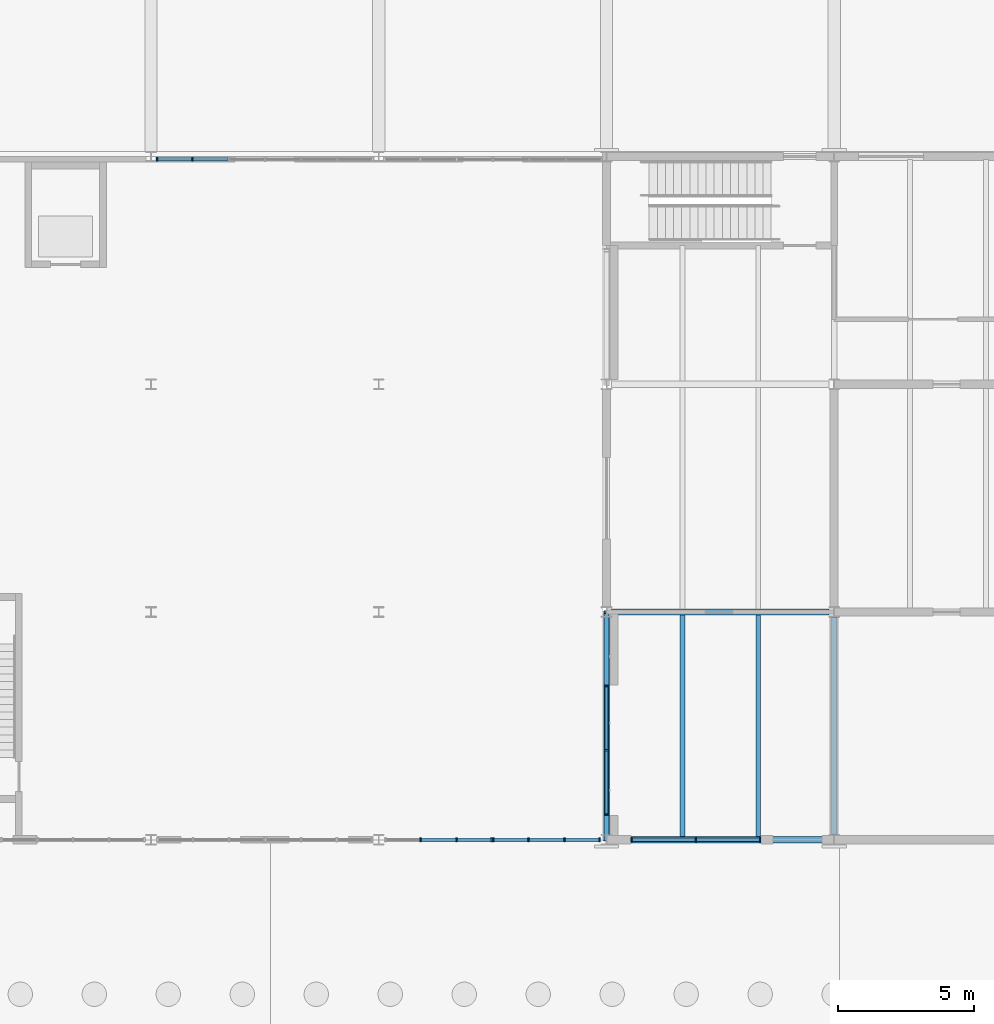
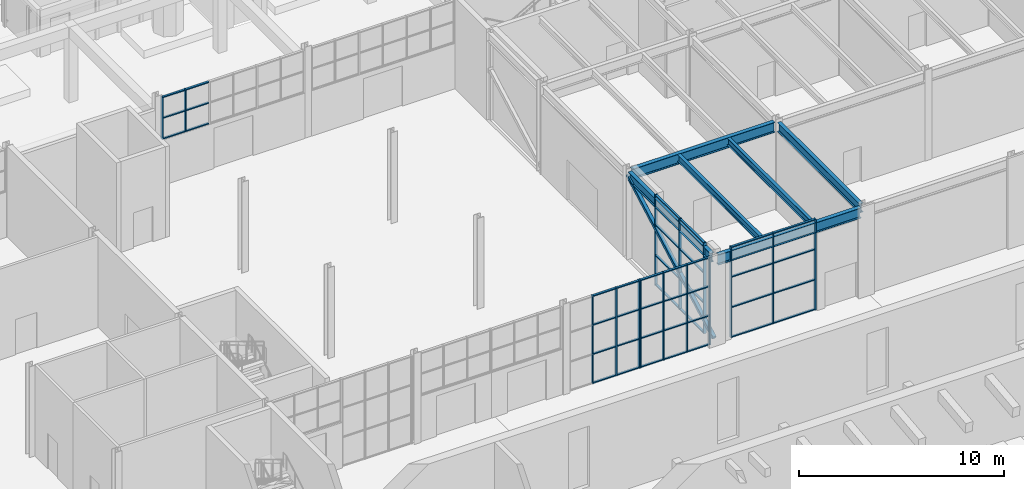
# One storey, part 41 of 127: 58 members, 6 beams, 5 elements without a shape of their own.
"""IFC4 building model written with IfcOpenShell, lengths in metres."""

import ifcopenshell
import ifcopenshell.guid

model = None  # the IFC model being written
_history = None  # IfcOwnerHistory: only IFC2X3 demands one
_inside = {}  # id of a spatial element -> (the spatial element, [elements in it])
_under = {}  # id of a project, library or spatial element -> (it, [spatial elements below it])
_declared = {}  # id of a project -> (the project, [libraries it declares])
_typed = {}  # id of a type object -> (the type object, [elements of that type])
_made_of = {}  # id of a material, layer set ... -> (it, [elements and type objects made of it])


def new_model(schema):
    """Start an empty IFC model of exactly this schema.

    Asked for "IFC4X3", IfcOpenShell would pick the latest addendum, in which some entities
    have other attributes; the version numbers below select the first issue.
    IFC2X3 requires an IfcOwnerHistory on every rooted entity: one is made here for all.
    """
    global model, _history
    if schema == "IFC4X3":
        model = ifcopenshell.file(schema_version=(4, 3, 0, 0))
    else:
        model = ifcopenshell.file(schema=schema)
    _inside.clear()
    _under.clear()
    _declared.clear()
    _typed.clear()
    _made_of.clear()
    _history = None
    if model.schema == "IFC2X3":
        org = make("IfcOrganization", Name="unknown")
        user = make(
            "IfcPersonAndOrganization",
            ThePerson=make("IfcPerson", FamilyName="unknown"),
            TheOrganization=org,
        )
        app = make(
            "IfcApplication",
            ApplicationDeveloper=org,
            Version="unknown",
            ApplicationFullName="unknown",
            ApplicationIdentifier="unknown",
        )
        _history = make(
            "IfcOwnerHistory",
            OwningUser=user,
            OwningApplication=app,
            ChangeAction="ADDED",
            CreationDate=0,
        )
    return model


def make(cls, **values):
    """One entity of the class cls with the attributes given. An attribute that is None is left unset."""
    return model.create_entity(
        cls, **{name: value for name, value in values.items() if value is not None}
    )


def rooted(cls, **values):
    """An entity with a GlobalId (a new one), such as an element, a storey or a relation."""
    return make(cls, GlobalId=ifcopenshell.guid.new(), OwnerHistory=_history, **values)


def si_unit(unit_type, name, prefix=None):
    """IfcSIUnit, for example si_unit("LENGTHUNIT", "METRE", prefix="MILLI")."""
    return make("IfcSIUnit", UnitType=unit_type, Prefix=prefix, Name=name)


def assignment(units):
    """IfcUnitAssignment: the units of a project."""
    return None if units is None else make("IfcUnitAssignment", Units=units)


def point(xyz):
    """IfcCartesianPoint."""
    return None if xyz is None else make("IfcCartesianPoint", Coordinates=xyz)


def direction(xyz):
    """IfcDirection."""
    return None if xyz is None else make("IfcDirection", DirectionRatios=xyz)


def frame(location, z_axis=None, x_axis=None):
    """IfcAxis2Placement3D, a coordinate frame: its origin and axes. An axis left out is left unset."""
    return make(
        "IfcAxis2Placement3D",
        Location=point(location),
        Axis=direction(z_axis),
        RefDirection=direction(x_axis),
    )


def frame_2d(location, x_axis=None):
    """IfcAxis2Placement2D, a coordinate frame in the plane: its origin and x axis."""
    return make(
        "IfcAxis2Placement2D", Location=point(location), RefDirection=direction(x_axis)
    )


def origin():
    """The frame at (0, 0, 0) with its axes left unset."""
    return frame((0.0, 0.0, 0.0))


def origin_2d():
    """The frame at (0, 0) in the plane with its x axis left unset."""
    return frame_2d((0.0, 0.0))


def place(relative_to, where):
    """IfcLocalPlacement: puts the frame where relative to a parent placement (None: the world)."""
    return make(
        "IfcLocalPlacement", PlacementRelTo=relative_to, RelativePlacement=where
    )


def context(
    kind, dimensions, precision=None, world=None, true_north=None, identifier=None
):
    """IfcGeometricRepresentationContext, for example the 3D "Model" context."""
    return make(
        "IfcGeometricRepresentationContext",
        ContextIdentifier=identifier,
        ContextType=kind,
        CoordinateSpaceDimension=dimensions,
        Precision=precision,
        WorldCoordinateSystem=world,
        TrueNorth=true_north,
    )


def subcontext(parent, identifier, kind, view, scale=None):
    """IfcGeometricRepresentationSubContext, for example "Body" below "Model"."""
    return make(
        "IfcGeometricRepresentationSubContext",
        ContextIdentifier=identifier,
        ContextType=kind,
        ParentContext=parent,
        TargetScale=scale,
        TargetView=view,
    )


def project(units=None, contexts=None):
    """IfcProject with its units and contexts."""
    return rooted(
        "IfcProject",
        Name="project",
        RepresentationContexts=contexts,
        UnitsInContext=assignment(units),
    )


def spatial(cls, under=None, at=None, **own):
    """A site, building, storey or space (cls), placed at a placement, below another one or the project."""
    s = rooted(cls, ObjectPlacement=at, **own)
    if under is not None:
        _under.setdefault(under.id(), (under, []))[1].append(s)
    return s


def profile(cls, at=None, kind="AREA", **sizes):
    """A parametric profile (cls). Its sizes go by their IFC names, for example OverallWidth=200.0."""
    return make(cls, ProfileType=kind, Position=at, **sizes)


def rectangle(**sizes):
    """IfcRectangleProfileDef."""
    return profile("IfcRectangleProfileDef", **sizes)


def hollow_rectangle(**sizes):
    """IfcRectangleHollowProfileDef."""
    return profile("IfcRectangleHollowProfileDef", **sizes)


def i_section(**sizes):
    """IfcIShapeProfileDef."""
    return profile("IfcIShapeProfileDef", **sizes)


def extrude(swept, where, along, depth):
    """IfcExtrudedAreaSolid: the profile swept, set in the frame where, extruded along a direction by depth."""
    return make(
        "IfcExtrudedAreaSolid",
        SweptArea=swept,
        Position=where,
        ExtrudedDirection=direction(along),
        Depth=depth,
    )


def shape(context_of_items, identifier, shape_type, items):
    """IfcShapeRepresentation: the items that make up one representation, for example the "Body"."""
    return make(
        "IfcShapeRepresentation",
        ContextOfItems=context_of_items,
        RepresentationIdentifier=identifier,
        RepresentationType=shape_type,
        Items=items,
    )


def material(Name=None, Category=None):
    """IfcMaterial."""
    return make("IfcMaterial", Name=Name, Category=Category)


def material_profile(
    of_material, cross_section, Name=None, Category=None, Priority=None
):
    """IfcMaterialProfile: a cross section and its material."""
    return make(
        "IfcMaterialProfile",
        Name=Name,
        Material=of_material,
        Profile=cross_section,
        Priority=Priority,
        Category=Category,
    )


def profile_set(profiles, Name=None, composite=None):
    """IfcMaterialProfileSet."""
    return make(
        "IfcMaterialProfileSet",
        Name=Name,
        MaterialProfiles=profiles,
        CompositeProfile=composite,
    )


def made_of(thing, what):
    """Note that an element or type object is made of a material, layer set ...; save() writes the relation."""
    if what is not None:
        _made_of.setdefault(what.id(), (what, []))[1].append(thing)
    return thing


def type_object(cls, material=None, **own):
    """A type object (cls), such as IfcWallType, which elements share."""
    return made_of(rooted(cls, **own), material)


def element(
    cls,
    number,
    at=None,
    inside=None,
    cuts=None,
    type_object=None,
    material=None,
    context=None,
    identifier="Body",
    shape_type=None,
    held_by="IfcProductDefinitionShape",
    body=None,
    shapes=None,
    **own,
):
    """One element of the class cls, such as IfcWall. Its Tag is "e" and its number.

    at: its placement. inside: the storey or other place that contains it. cuts: it is an
    opening in that element (IfcRelVoidsElement). A single representation is given by context,
    identifier, shape_type and body (its items); several are given by shapes. held_by: the class
    of the entity that holds the representations. save() writes the other relations.
    """
    e = rooted(cls, Tag="e%d" % number, ObjectPlacement=at, **own)
    if body is not None:
        shapes = [shape(context, identifier, shape_type, body)]
    if shapes is not None:
        e.Representation = make(held_by, Representations=shapes)
    if inside is not None:
        _inside.setdefault(inside.id(), (inside, []))[1].append(e)
    if cuts is not None:
        rooted(
            "IfcRelVoidsElement", RelatingBuildingElement=cuts, RelatedOpeningElement=e
        )
    if type_object is not None:
        _typed.setdefault(type_object.id(), (type_object, []))[1].append(e)
    return made_of(e, material)


def aggregate(whole, parts):
    """IfcRelAggregates: a whole, such as a stair, and the parts it consists of."""
    return rooted("IfcRelAggregates", RelatingObject=whole, RelatedObjects=parts)


def save(model, path):
    """Write the relations noted so far, then the file.

    IfcRelAggregates (storeys below a building ...), IfcRelContainedInSpatialStructure (elements
    in a storey), IfcRelDefinesByType, IfcRelAssociatesMaterial and IfcRelDeclares: one each for
    every whole, place, type object, material and project.
    """
    for whole, parts in _under.values():
        aggregate(whole, parts)
    for where, things in _inside.values():
        rooted(
            "IfcRelContainedInSpatialStructure",
            RelatedElements=things,
            RelatingStructure=where,
        )
    for kind, things in _typed.values():
        rooted("IfcRelDefinesByType", RelatedObjects=things, RelatingType=kind)
    for what, things in _made_of.values():
        rooted("IfcRelAssociatesMaterial", RelatedObjects=things, RelatingMaterial=what)
    for by, libraries in _declared.values():
        rooted("IfcRelDeclares", RelatingContext=by, RelatedDefinitions=libraries)
    model.write(path)


model = new_model("IFC4")

# Units and contexts
model_context = context("Model", 3, precision=1e-05, world=origin(), true_north=direction((0.0, 1.0)))
body_context = subcontext(model_context, "Body", "Model", "MODEL_VIEW")
ifc_project = project(units=[si_unit("LENGTHUNIT", "METRE"), si_unit("AREAUNIT", "SQUARE_METRE"), si_unit("VOLUMEUNIT", "CUBIC_METRE"), si_unit("PLANEANGLEUNIT", "RADIAN"), si_unit("MASSUNIT", "GRAM", prefix="KILO")], contexts=[model_context])

# Site, building, storey
site_placement = place(None, origin())
site = spatial("IfcSite", under=ifc_project, at=site_placement, CompositionType="ELEMENT")
building_placement = place(site_placement, origin())
building = spatial("IfcBuilding", under=site, at=building_placement, Name="Ljudholm Concert House", CompositionType="ELEMENT")
storey_placement = place(building_placement, origin())
storey = spatial("IfcBuildingStorey", under=building, at=storey_placement, Name="L00", CompositionType="ELEMENT", Elevation=0.0)

# Curtain wall, members
ifc_material_1 = material(Name="Aluminium curtain wall with impact-rated laminated glass", Category="aluminium")
curtain_wall_type_1 = type_object("IfcCurtainWallType", Name="CURTAIN WALL 2400", PredefinedType="NOTDEFINED", material=ifc_material_1)
curtain_wall_1_placement = place(storey_placement, origin())
curtain_wall_1 = element("IfcCurtainWall", 1, at=curtain_wall_1_placement, inside=storey, type_object=curtain_wall_type_1, Name="Curtain wall", PredefinedType="NOTDEFINED")
ifc_material_2 = material(Name="Aluminium extrusion", Category="aluminium")
ifc_material_profile_1 = material_profile(ifc_material_2, rectangle(XDim=0.159912109375, YDim=0.06005859375, at=origin_2d()), Name="MULLION 60x160")
ifc_profile_set_1 = profile_set([ifc_material_profile_1], Name="Aluminium extrusion")
member_type_1 = type_object("IfcMemberType", Name="MULLION 60x160", PredefinedType="MULLION", material=ifc_profile_set_1)
member_1_placement = place(storey_placement, frame((54.39990234375, 105.72998046875, 0.0), z_axis=(0.0, 0.0, 1.0), x_axis=(-1.0, 0.0, 0.0)))
member_1 = element("IfcMember", 2, at=member_1_placement, type_object=member_type_1, Name="Mullion", PredefinedType="MULLION", context=body_context, shape_type="SweptSolid", body=[
    extrude(rectangle(XDim=0.159912109375, YDim=0.06005859375, at=origin_2d()), origin(), (0.0, 0.0, 1.0), 5.39990234375),
])
member_2_placement = place(storey_placement, frame((54.39990234375, 108.10009765625, 0.0), z_axis=(0.0, 0.0, 1.0), x_axis=(-1.0, 0.0, 0.0)))
member_2 = element("IfcMember", 3, at=member_2_placement, type_object=member_type_1, Name="Mullion", PredefinedType="MULLION", context=body_context, shape_type="SweptSolid", body=[
    extrude(rectangle(XDim=0.159912109375, YDim=0.06005859375, at=origin_2d()), origin(), (0.0, 0.0, 1.0), 5.39990234375),
])
member_3_placement = place(storey_placement, frame((54.39990234375, 110.469970703125, 0.0), z_axis=(0.0, 0.0, 1.0), x_axis=(-1.0, 0.0, 0.0)))
member_3 = element("IfcMember", 4, at=member_3_placement, type_object=member_type_1, Name="Mullion", PredefinedType="MULLION", context=body_context, shape_type="SweptSolid", body=[
    extrude(rectangle(XDim=0.159912109375, YDim=0.06005859375, at=origin_2d()), origin(), (0.0, 0.0, 1.0), 5.39990234375),
])

curtain_wall_2_placement = place(storey_placement, origin())
curtain_wall_2 = element("IfcCurtainWall", 5, at=curtain_wall_2_placement, inside=storey, type_object=curtain_wall_type_1, Name="Curtain wall", PredefinedType="NOTDEFINED")
member_4_placement = place(storey_placement, frame((55.330078125, 104.800048828125, 0.0), z_axis=(0.0, 0.0, 1.0), x_axis=(0.0, 1.0, 0.0)))
member_4 = element("IfcMember", 6, at=member_4_placement, type_object=member_type_1, Name="Mullion", PredefinedType="MULLION", context=body_context, shape_type="SweptSolid", body=[
    extrude(rectangle(XDim=0.159912109375, YDim=0.06005859375, at=origin_2d()), origin(), (0.0, 0.0, 1.0), 5.39990234375),
])
member_5_placement = place(storey_placement, frame((57.699951171875, 104.800048828125, 0.0), z_axis=(0.0, 0.0, 1.0), x_axis=(0.0, 1.0, 0.0)))
member_5 = element("IfcMember", 7, at=member_5_placement, type_object=member_type_1, Name="Mullion", PredefinedType="MULLION", context=body_context, shape_type="SweptSolid", body=[
    extrude(rectangle(XDim=0.159912109375, YDim=0.06005859375, at=origin_2d()), origin(), (0.0, 0.0, 1.0), 5.39990234375),
])
member_6_placement = place(storey_placement, frame((60.070068359375, 104.800048828125, 0.0), z_axis=(0.0, 0.0, 1.0), x_axis=(0.0, 1.0, 0.0)))
member_6 = element("IfcMember", 8, at=member_6_placement, type_object=member_type_1, Name="Mullion", PredefinedType="MULLION", context=body_context, shape_type="SweptSolid", body=[
    extrude(rectangle(XDim=0.159912109375, YDim=0.06005859375, at=origin_2d()), origin(), (0.0, 0.0, 1.0), 5.39990234375),
])

ifc_material_3 = material(Name="Aluminium curtain wall with impact-rated laminated glass", Category="aluminium")
curtain_wall_type_2 = type_object("IfcCurtainWallType", Name="CURTAIN WALL 1400", PredefinedType="NOTDEFINED", material=ifc_material_3)
curtain_wall_3_placement = place(storey_placement, origin())
curtain_wall_3 = element("IfcCurtainWall", 9, at=curtain_wall_3_placement, inside=storey, type_object=curtain_wall_type_2, Name="North curtain wall", PredefinedType="NOTDEFINED")
member_7_placement = place(storey_placement, frame((37.820068359375, 129.89990234375, 2.699951171875), z_axis=(0.0, 0.0, 1.0), x_axis=(0.0, 1.0, 0.0)))
member_7 = element("IfcMember", 10, at=member_7_placement, type_object=member_type_1, Name="Mullion", PredefinedType="MULLION", context=body_context, shape_type="SweptSolid", body=[
    extrude(rectangle(XDim=0.159912109375, YDim=0.06005859375, at=origin_2d()), origin(), (0.0, 0.0, 1.0), 2.52001953125),
])
member_8_placement = place(storey_placement, frame((39.126708984375, 129.89990234375, 2.699951171875), z_axis=(0.0, 0.0, 1.0), x_axis=(0.0, 1.0, 0.0)))
member_8 = element("IfcMember", 11, at=member_8_placement, type_object=member_type_1, Name="Mullion", PredefinedType="MULLION", context=body_context, shape_type="SweptSolid", body=[
    extrude(rectangle(XDim=0.159912109375, YDim=0.06005859375, at=origin_2d()), origin(), (0.0, 0.0, 1.0), 2.52001953125),
])

curtain_wall_4_placement = place(storey_placement, origin())
curtain_wall_4 = element("IfcCurtainWall", 12, at=curtain_wall_4_placement, inside=storey, type_object=curtain_wall_type_2, Name="Winter garden curtain wall", PredefinedType="NOTDEFINED")
member_9_placement = place(storey_placement, frame((47.546630859375, 104.800048828125, 0.0), z_axis=(0.0, 0.0, 1.0), x_axis=(0.0, 1.0, 0.0)))
member_9 = element("IfcMember", 13, at=member_9_placement, type_object=member_type_1, Name="Mullion", PredefinedType="MULLION", context=body_context, shape_type="SweptSolid", body=[
    extrude(rectangle(XDim=0.159912109375, YDim=0.06005859375, at=origin_2d()), origin(), (0.0, 0.0, 1.0), 5.219970703125),
])
member_10_placement = place(storey_placement, frame((48.873291015625, 104.800048828125, 0.0), z_axis=(0.0, 0.0, 1.0), x_axis=(0.0, 1.0, 0.0)))
member_10 = element("IfcMember", 14, at=member_10_placement, type_object=member_type_1, Name="Mullion", PredefinedType="MULLION", context=body_context, shape_type="SweptSolid", body=[
    extrude(rectangle(XDim=0.159912109375, YDim=0.06005859375, at=origin_2d()), origin(), (0.0, 0.0, 1.0), 5.219970703125),
])
member_11_placement = place(storey_placement, frame((50.169921875, 104.800048828125, 0.0), z_axis=(0.0, 0.0, 1.0), x_axis=(0.0, 1.0, 0.0)))
member_11 = element("IfcMember", 15, at=member_11_placement, type_object=member_type_1, Name="Mullion", PredefinedType="MULLION", context=body_context, shape_type="SweptSolid", body=[
    extrude(rectangle(XDim=0.159912109375, YDim=0.06005859375, at=origin_2d()), origin(), (0.0, 0.0, 1.0), 5.219970703125),
])

curtain_wall_5_placement = place(storey_placement, origin())
curtain_wall_5 = element("IfcCurtainWall", 16, at=curtain_wall_5_placement, inside=storey, type_object=curtain_wall_type_2, Name="Winter garden curtain wall", PredefinedType="NOTDEFINED")
member_12_placement = place(storey_placement, frame((50.22998046875, 104.800048828125, 0.0), z_axis=(0.0, 0.0, 1.0), x_axis=(0.0, 1.0, 0.0)))
member_12 = element("IfcMember", 17, at=member_12_placement, type_object=member_type_1, Name="Mullion", PredefinedType="MULLION", context=body_context, shape_type="SweptSolid", body=[
    extrude(rectangle(XDim=0.159912109375, YDim=0.06005859375, at=origin_2d()), origin(), (0.0, 0.0, 1.0), 5.219970703125),
])
member_13_placement = place(storey_placement, frame((51.526611328125, 104.800048828125, 0.0), z_axis=(0.0, 0.0, 1.0), x_axis=(0.0, 1.0, 0.0)))
member_13 = element("IfcMember", 18, at=member_13_placement, type_object=member_type_1, Name="Mullion", PredefinedType="MULLION", context=body_context, shape_type="SweptSolid", body=[
    extrude(rectangle(XDim=0.159912109375, YDim=0.06005859375, at=origin_2d()), origin(), (0.0, 0.0, 1.0), 5.219970703125),
])
member_14_placement = place(storey_placement, frame((52.853271484375, 104.800048828125, 0.0), z_axis=(0.0, 0.0, 1.0), x_axis=(0.0, 1.0, 0.0)))
member_14 = element("IfcMember", 19, at=member_14_placement, type_object=member_type_1, Name="Mullion", PredefinedType="MULLION", context=body_context, shape_type="SweptSolid", body=[
    extrude(rectangle(XDim=0.159912109375, YDim=0.06005859375, at=origin_2d()), origin(), (0.0, 0.0, 1.0), 5.219970703125),
])
member_15_placement = place(storey_placement, frame((54.14990234375, 104.800048828125, 0.0), z_axis=(0.0, 0.0, 1.0), x_axis=(0.0, 1.0, 0.0)))
member_15 = element("IfcMember", 20, at=member_15_placement, type_object=member_type_1, Name="Mullion", PredefinedType="MULLION", context=body_context, shape_type="SweptSolid", body=[
    extrude(rectangle(XDim=0.159912109375, YDim=0.06005859375, at=origin_2d()), origin(), (0.0, 0.0, 1.0), 5.219970703125),
])

# Beams
ifc_material_4 = material(Name="Steel ASTM A992", Category="steel")
ifc_material_profile_2 = material_profile(ifc_material_4, i_section(OverallWidth=0.177734375, OverallDepth=0.406494140625, WebThickness=0.0078125, FlangeThickness=0.012939453125, FilletRadius=0.01025390625, at=origin_2d()), Name="W16X40")
ifc_profile_set_2 = profile_set([ifc_material_profile_2], Name="Steel ASTM A992")
beam_type_1 = type_object("IfcBeamType", Name="STEEL BEAM W16X40", PredefinedType="BEAM", material=ifc_profile_set_2)
for number, where, z_axis, x_axis, name in (
    (21, (57.199951171875, 104.91455078125, 5.016845703125), (0.0, 1.0, 0.0), (-1.0, 0.0, 0.0), "Beam STUDIO-L01-sb-57.2-104.8"),
    (22, (60.0, 104.91455078125, 5.016845703125), (0.0, 1.0, 0.0), (-1.0, 0.0, 0.0), "Beam STUDIO-L01-sb-60-104.8"),
):
    element("IfcBeam", number, at=place(storey_placement, frame(where, z_axis=z_axis, x_axis=x_axis)), inside=storey, type_object=beam_type_1, Name=name, PredefinedType="BEAM", context=body_context, shape_type="SweptSolid", body=[
        extrude(i_section(OverallWidth=0.177734375, OverallDepth=0.406494140625, WebThickness=0.0078125, FlangeThickness=0.012939453125, FilletRadius=0.01025390625, at=origin_2d()), origin(), (0.0, 0.0, 1.0), 8.1708984375),
    ])
ifc_material_5 = material(Name="Steel ASTM A992", Category="steel")
ifc_material_profile_3 = material_profile(ifc_material_5, i_section(OverallWidth=0.209228515625, OverallDepth=0.533447265625, WebThickness=0.01025390625, FlangeThickness=0.015625, FilletRadius=0.012939453125, at=origin_2d()), Name="W21X62")
ifc_profile_set_3 = profile_set([ifc_material_profile_3], Name="Steel ASTM A992")
beam_type_2 = type_object("IfcBeamType", Name="STEEL BEAM W21X62", PredefinedType="BEAM", material=ifc_profile_set_3)
for number, where, z_axis, x_axis, name in (
    (23, (54.39990234375, 104.986572265625, 4.953369140625), (0.0, 1.0, 0.0), (-1.0, 0.0, 0.0), "Beam STUDIO-L01-gy-54.4-104.8"),
    (24, (62.800048828125, 104.986572265625, 4.953369140625), (0.0, 1.0, 0.0), (-1.0, 0.0, 0.0), "Beam STUDIO-L01-gy-62.8-104.8"),
):
    element("IfcBeam", number, at=place(storey_placement, frame(where, z_axis=z_axis, x_axis=x_axis)), inside=storey, type_object=beam_type_2, Name=name, PredefinedType="BEAM", context=body_context, shape_type="SweptSolid", body=[
        extrude(i_section(OverallWidth=0.209228515625, OverallDepth=0.533447265625, WebThickness=0.01025390625, FlangeThickness=0.015625, FilletRadius=0.012939453125, at=origin_2d()), origin(), (0.0, 0.0, 1.0), 8.02685546875),
    ])
ifc_material_6 = material(Name="Steel ASTM A992", Category="steel")
ifc_material_profile_4 = material_profile(ifc_material_6, i_section(OverallWidth=0.22900390625, OverallDepth=0.612060546875, WebThickness=0.011962890625, FlangeThickness=0.01953125, FilletRadius=0.0126953125, at=origin_2d()), Name="W24X84")
ifc_profile_set_4 = profile_set([ifc_material_profile_4], Name="Steel ASTM A992")
beam_type_3 = type_object("IfcBeamType", Name="STEEL BEAM W24X84", PredefinedType="BEAM", material=ifc_profile_set_4)
for number, where, z_axis, x_axis, name in (
    (25, (54.586669921875, 104.800048828125, 4.913818359375), (1.0, 0.0, 0.0), (0.0, 1.0, 0.0), "Beam STUDIO-L01-gx-54.4-104.8"),
    (26, (54.586669921875, 113.199951171875, 4.913818359375), (1.0, 0.0, 0.0), (0.0, 1.0, 0.0), "Beam STUDIO-L01-gx-54.4-113.2"),
):
    element("IfcBeam", number, at=place(storey_placement, frame(where, z_axis=z_axis, x_axis=x_axis)), inside=storey, type_object=beam_type_3, Name=name, PredefinedType="BEAM", context=body_context, shape_type="SweptSolid", body=[
        extrude(i_section(OverallWidth=0.22900390625, OverallDepth=0.612060546875, WebThickness=0.011962890625, FlangeThickness=0.01953125, FilletRadius=0.0126953125, at=origin_2d()), origin(), (0.0, 0.0, 1.0), 8.026611328125),
    ])

# Member
ifc_material_7 = material(Name="Steel ASTM A500 Gr. C", Category="steel")
ifc_material_profile_5 = material_profile(ifc_material_7, hollow_rectangle(XDim=0.203125, YDim=0.203125, WallThickness=0.01171875, InnerFilletRadius=0.005859375, OuterFilletRadius=0.017822265625, at=origin_2d()), Name="HSS8X8X1/2")
ifc_profile_set_5 = profile_set([ifc_material_profile_5], Name="Steel ASTM A500 Gr. C")
member_type_2 = type_object("IfcMemberType", Name="STEEL MEMBER HSS8X8X1/2 BRACE", PredefinedType="BRACE", material=ifc_profile_set_5)
member_16_placement = place(storey_placement, frame((54.39990234375, 104.800048828125, 0.300048828125), z_axis=(0.0, 0.876219134809, 0.481912884031), x_axis=(-1.0, 0.0, 0.0)))
element("IfcMember", 27, at=member_16_placement, inside=storey, type_object=member_type_2, Name="Brace", PredefinedType="BRACE", context=body_context, shape_type="SweptSolid", body=[
    extrude(hollow_rectangle(XDim=0.203125, YDim=0.203125, WallThickness=0.01171875, InnerFilletRadius=0.005859375, OuterFilletRadius=0.017822265625, at=origin_2d()), origin(), (0.0, 0.0, 1.0), 9.58642578125),
])

ifc_material_8 = material(Name="Aluminium extrusion", Category="aluminium")
ifc_material_profile_6 = material_profile(ifc_material_8, rectangle(XDim=0.1201171875, YDim=0.06005859375, at=origin_2d()), Name="TRANSOM 60x120")
ifc_profile_set_6 = profile_set([ifc_material_profile_6], Name="Aluminium extrusion")
member_type_3 = type_object("IfcMemberType", Name="TRANSOM 60x120", PredefinedType="USERDEFINED", material=ifc_profile_set_6)
member_17_placement = place(storey_placement, frame((54.39990234375, 105.760009765625, 0.030029296875), z_axis=(0.0, 1.0, 0.0), x_axis=(-1.0, 0.0, 0.0)))
member_17 = element("IfcMember", 28, at=member_17_placement, type_object=member_type_3, Name="Transom", ObjectType="TRANSOM", PredefinedType="USERDEFINED", context=body_context, shape_type="SweptSolid", body=[
    extrude(rectangle(XDim=0.1201171875, YDim=0.06005859375, at=origin_2d()), origin(), (0.0, 0.0, 1.0), 2.31005859375),
])

member_18_placement = place(storey_placement, frame((54.39990234375, 105.760009765625, 1.800048828125), z_axis=(0.0, 1.0, 0.0), x_axis=(-1.0, 0.0, 0.0)))
member_18 = element("IfcMember", 29, at=member_18_placement, type_object=member_type_3, Name="Transom", ObjectType="TRANSOM", PredefinedType="USERDEFINED", context=body_context, shape_type="SweptSolid", body=[
    extrude(rectangle(XDim=0.1201171875, YDim=0.06005859375, at=origin_2d()), origin(), (0.0, 0.0, 1.0), 2.31005859375),
])

member_19_placement = place(storey_placement, frame((54.39990234375, 105.760009765625, 3.60009765625), z_axis=(0.0, 1.0, 0.0), x_axis=(-1.0, 0.0, 0.0)))
member_19 = element("IfcMember", 30, at=member_19_placement, type_object=member_type_3, Name="Transom", ObjectType="TRANSOM", PredefinedType="USERDEFINED", context=body_context, shape_type="SweptSolid", body=[
    extrude(rectangle(XDim=0.1201171875, YDim=0.06005859375, at=origin_2d()), origin(), (0.0, 0.0, 1.0), 2.31005859375),
])

member_20_placement = place(storey_placement, frame((54.39990234375, 105.760009765625, 5.3701171875), z_axis=(0.0, 1.0, 0.0), x_axis=(-1.0, 0.0, 0.0)))
member_20 = element("IfcMember", 31, at=member_20_placement, type_object=member_type_3, Name="Transom", ObjectType="TRANSOM", PredefinedType="USERDEFINED", context=body_context, shape_type="SweptSolid", body=[
    extrude(rectangle(XDim=0.1201171875, YDim=0.06005859375, at=origin_2d()), origin(), (0.0, 0.0, 1.0), 2.31005859375),
])

member_21_placement = place(storey_placement, frame((54.39990234375, 108.1298828125, 0.030029296875), z_axis=(0.0, 1.0, 0.0), x_axis=(-1.0, 0.0, 0.0)))
member_21 = element("IfcMember", 32, at=member_21_placement, type_object=member_type_3, Name="Transom", ObjectType="TRANSOM", PredefinedType="USERDEFINED", context=body_context, shape_type="SweptSolid", body=[
    extrude(rectangle(XDim=0.1201171875, YDim=0.06005859375, at=origin_2d()), origin(), (0.0, 0.0, 1.0), 2.31005859375),
])

member_22_placement = place(storey_placement, frame((54.39990234375, 108.1298828125, 1.800048828125), z_axis=(0.0, 1.0, 0.0), x_axis=(-1.0, 0.0, 0.0)))
member_22 = element("IfcMember", 33, at=member_22_placement, type_object=member_type_3, Name="Transom", ObjectType="TRANSOM", PredefinedType="USERDEFINED", context=body_context, shape_type="SweptSolid", body=[
    extrude(rectangle(XDim=0.1201171875, YDim=0.06005859375, at=origin_2d()), origin(), (0.0, 0.0, 1.0), 2.31005859375),
])

member_23_placement = place(storey_placement, frame((54.39990234375, 108.1298828125, 3.60009765625), z_axis=(0.0, 1.0, 0.0), x_axis=(-1.0, 0.0, 0.0)))
member_23 = element("IfcMember", 34, at=member_23_placement, type_object=member_type_3, Name="Transom", ObjectType="TRANSOM", PredefinedType="USERDEFINED", context=body_context, shape_type="SweptSolid", body=[
    extrude(rectangle(XDim=0.1201171875, YDim=0.06005859375, at=origin_2d()), origin(), (0.0, 0.0, 1.0), 2.31005859375),
])

member_24_placement = place(storey_placement, frame((54.39990234375, 108.1298828125, 5.3701171875), z_axis=(0.0, 1.0, 0.0), x_axis=(-1.0, 0.0, 0.0)))
member_24 = element("IfcMember", 35, at=member_24_placement, type_object=member_type_3, Name="Transom", ObjectType="TRANSOM", PredefinedType="USERDEFINED", context=body_context, shape_type="SweptSolid", body=[
    extrude(rectangle(XDim=0.1201171875, YDim=0.06005859375, at=origin_2d()), origin(), (0.0, 0.0, 1.0), 2.31005859375),
])

aggregate(curtain_wall_1, [member_1, member_2, member_3, member_17, member_18, member_19, member_20, member_21, member_22, member_23, member_24])

member_25_placement = place(storey_placement, frame((55.360107421875, 104.800048828125, 0.030029296875), z_axis=(1.0, 0.0, 0.0), x_axis=(0.0, 1.0, 0.0)))
member_25 = element("IfcMember", 36, at=member_25_placement, type_object=member_type_3, Name="Transom", ObjectType="TRANSOM", PredefinedType="USERDEFINED", context=body_context, shape_type="SweptSolid", body=[
    extrude(rectangle(XDim=0.1201171875, YDim=0.06005859375, at=origin_2d()), origin(), (0.0, 0.0, 1.0), 2.309814453125),
])

member_26_placement = place(storey_placement, frame((55.360107421875, 104.800048828125, 1.800048828125), z_axis=(1.0, 0.0, 0.0), x_axis=(0.0, 1.0, 0.0)))
member_26 = element("IfcMember", 37, at=member_26_placement, type_object=member_type_3, Name="Transom", ObjectType="TRANSOM", PredefinedType="USERDEFINED", context=body_context, shape_type="SweptSolid", body=[
    extrude(rectangle(XDim=0.1201171875, YDim=0.06005859375, at=origin_2d()), origin(), (0.0, 0.0, 1.0), 2.309814453125),
])

member_27_placement = place(storey_placement, frame((55.360107421875, 104.800048828125, 3.60009765625), z_axis=(1.0, 0.0, 0.0), x_axis=(0.0, 1.0, 0.0)))
member_27 = element("IfcMember", 38, at=member_27_placement, type_object=member_type_3, Name="Transom", ObjectType="TRANSOM", PredefinedType="USERDEFINED", context=body_context, shape_type="SweptSolid", body=[
    extrude(rectangle(XDim=0.1201171875, YDim=0.06005859375, at=origin_2d()), origin(), (0.0, 0.0, 1.0), 2.309814453125),
])

member_28_placement = place(storey_placement, frame((55.360107421875, 104.800048828125, 5.3701171875), z_axis=(1.0, 0.0, 0.0), x_axis=(0.0, 1.0, 0.0)))
member_28 = element("IfcMember", 39, at=member_28_placement, type_object=member_type_3, Name="Transom", ObjectType="TRANSOM", PredefinedType="USERDEFINED", context=body_context, shape_type="SweptSolid", body=[
    extrude(rectangle(XDim=0.1201171875, YDim=0.06005859375, at=origin_2d()), origin(), (0.0, 0.0, 1.0), 2.309814453125),
])

member_29_placement = place(storey_placement, frame((57.72998046875, 104.800048828125, 0.030029296875), z_axis=(1.0, 0.0, 0.0), x_axis=(0.0, 1.0, 0.0)))
member_29 = element("IfcMember", 40, at=member_29_placement, type_object=member_type_3, Name="Transom", ObjectType="TRANSOM", PredefinedType="USERDEFINED", context=body_context, shape_type="SweptSolid", body=[
    extrude(rectangle(XDim=0.1201171875, YDim=0.06005859375, at=origin_2d()), origin(), (0.0, 0.0, 1.0), 2.31005859375),
])

member_30_placement = place(storey_placement, frame((57.72998046875, 104.800048828125, 1.800048828125), z_axis=(1.0, 0.0, 0.0), x_axis=(0.0, 1.0, 0.0)))
member_30 = element("IfcMember", 41, at=member_30_placement, type_object=member_type_3, Name="Transom", ObjectType="TRANSOM", PredefinedType="USERDEFINED", context=body_context, shape_type="SweptSolid", body=[
    extrude(rectangle(XDim=0.1201171875, YDim=0.06005859375, at=origin_2d()), origin(), (0.0, 0.0, 1.0), 2.31005859375),
])

member_31_placement = place(storey_placement, frame((57.72998046875, 104.800048828125, 3.60009765625), z_axis=(1.0, 0.0, 0.0), x_axis=(0.0, 1.0, 0.0)))
member_31 = element("IfcMember", 42, at=member_31_placement, type_object=member_type_3, Name="Transom", ObjectType="TRANSOM", PredefinedType="USERDEFINED", context=body_context, shape_type="SweptSolid", body=[
    extrude(rectangle(XDim=0.1201171875, YDim=0.06005859375, at=origin_2d()), origin(), (0.0, 0.0, 1.0), 2.31005859375),
])

member_32_placement = place(storey_placement, frame((57.72998046875, 104.800048828125, 5.3701171875), z_axis=(1.0, 0.0, 0.0), x_axis=(0.0, 1.0, 0.0)))
member_32 = element("IfcMember", 43, at=member_32_placement, type_object=member_type_3, Name="Transom", ObjectType="TRANSOM", PredefinedType="USERDEFINED", context=body_context, shape_type="SweptSolid", body=[
    extrude(rectangle(XDim=0.1201171875, YDim=0.06005859375, at=origin_2d()), origin(), (0.0, 0.0, 1.0), 2.31005859375),
])

aggregate(curtain_wall_2, [member_4, member_5, member_6, member_25, member_26, member_27, member_28, member_29, member_30, member_31, member_32])

member_33_placement = place(storey_placement, frame((37.85009765625, 129.89990234375, 2.72998046875), z_axis=(1.0, 0.0, 0.0), x_axis=(0.0, 1.0, 0.0)))
member_33 = element("IfcMember", 44, at=member_33_placement, type_object=member_type_3, Name="Transom", ObjectType="TRANSOM", PredefinedType="USERDEFINED", context=body_context, shape_type="SweptSolid", body=[
    extrude(rectangle(XDim=0.1201171875, YDim=0.06005859375, at=origin_2d()), origin(), (0.0, 0.0, 1.0), 1.24658203125),
])

member_34_placement = place(storey_placement, frame((37.85009765625, 129.89990234375, 3.9599609375), z_axis=(1.0, 0.0, 0.0), x_axis=(0.0, 1.0, 0.0)))
member_34 = element("IfcMember", 45, at=member_34_placement, type_object=member_type_3, Name="Transom", ObjectType="TRANSOM", PredefinedType="USERDEFINED", context=body_context, shape_type="SweptSolid", body=[
    extrude(rectangle(XDim=0.1201171875, YDim=0.06005859375, at=origin_2d()), origin(), (0.0, 0.0, 1.0), 1.24658203125),
])

member_35_placement = place(storey_placement, frame((37.85009765625, 129.89990234375, 5.18994140625), z_axis=(1.0, 0.0, 0.0), x_axis=(0.0, 1.0, 0.0)))
member_35 = element("IfcMember", 46, at=member_35_placement, type_object=member_type_3, Name="Transom", ObjectType="TRANSOM", PredefinedType="USERDEFINED", context=body_context, shape_type="SweptSolid", body=[
    extrude(rectangle(XDim=0.1201171875, YDim=0.06005859375, at=origin_2d()), origin(), (0.0, 0.0, 1.0), 1.24658203125),
])

member_36_placement = place(storey_placement, frame((39.15673828125, 129.89990234375, 2.72998046875), z_axis=(1.0, 0.0, 0.0), x_axis=(0.0, 1.0, 0.0)))
member_36 = element("IfcMember", 47, at=member_36_placement, type_object=member_type_3, Name="Transom", ObjectType="TRANSOM", PredefinedType="USERDEFINED", context=body_context, shape_type="SweptSolid", body=[
    extrude(rectangle(XDim=0.1201171875, YDim=0.06005859375, at=origin_2d()), origin(), (0.0, 0.0, 1.0), 1.276611328125),
])

member_37_placement = place(storey_placement, frame((39.15673828125, 129.89990234375, 3.9599609375), z_axis=(1.0, 0.0, 0.0), x_axis=(0.0, 1.0, 0.0)))
member_37 = element("IfcMember", 48, at=member_37_placement, type_object=member_type_3, Name="Transom", ObjectType="TRANSOM", PredefinedType="USERDEFINED", context=body_context, shape_type="SweptSolid", body=[
    extrude(rectangle(XDim=0.1201171875, YDim=0.06005859375, at=origin_2d()), origin(), (0.0, 0.0, 1.0), 1.276611328125),
])

member_38_placement = place(storey_placement, frame((39.15673828125, 129.89990234375, 5.18994140625), z_axis=(1.0, 0.0, 0.0), x_axis=(0.0, 1.0, 0.0)))
member_38 = element("IfcMember", 49, at=member_38_placement, type_object=member_type_3, Name="Transom", ObjectType="TRANSOM", PredefinedType="USERDEFINED", context=body_context, shape_type="SweptSolid", body=[
    extrude(rectangle(XDim=0.1201171875, YDim=0.06005859375, at=origin_2d()), origin(), (0.0, 0.0, 1.0), 1.276611328125),
])

aggregate(curtain_wall_3, [member_7, member_8, member_33, member_34, member_35, member_36, member_37, member_38])

member_39_placement = place(storey_placement, frame((47.57666015625, 104.800048828125, 0.030029296875), z_axis=(1.0, 0.0, 0.0), x_axis=(0.0, 1.0, 0.0)))
member_39 = element("IfcMember", 50, at=member_39_placement, type_object=member_type_3, Name="Transom", ObjectType="TRANSOM", PredefinedType="USERDEFINED", context=body_context, shape_type="SweptSolid", body=[
    extrude(rectangle(XDim=0.1201171875, YDim=0.06005859375, at=origin_2d()), origin(), (0.0, 0.0, 1.0), 1.2666015625),
])

member_40_placement = place(storey_placement, frame((47.57666015625, 104.800048828125, 1.739990234375), z_axis=(1.0, 0.0, 0.0), x_axis=(0.0, 1.0, 0.0)))
member_40 = element("IfcMember", 51, at=member_40_placement, type_object=member_type_3, Name="Transom", ObjectType="TRANSOM", PredefinedType="USERDEFINED", context=body_context, shape_type="SweptSolid", body=[
    extrude(rectangle(XDim=0.1201171875, YDim=0.06005859375, at=origin_2d()), origin(), (0.0, 0.0, 1.0), 1.2666015625),
])

member_41_placement = place(storey_placement, frame((47.57666015625, 104.800048828125, 3.47998046875), z_axis=(1.0, 0.0, 0.0), x_axis=(0.0, 1.0, 0.0)))
member_41 = element("IfcMember", 52, at=member_41_placement, type_object=member_type_3, Name="Transom", ObjectType="TRANSOM", PredefinedType="USERDEFINED", context=body_context, shape_type="SweptSolid", body=[
    extrude(rectangle(XDim=0.1201171875, YDim=0.06005859375, at=origin_2d()), origin(), (0.0, 0.0, 1.0), 1.2666015625),
])

member_42_placement = place(storey_placement, frame((47.57666015625, 104.800048828125, 5.18994140625), z_axis=(1.0, 0.0, 0.0), x_axis=(0.0, 1.0, 0.0)))
member_42 = element("IfcMember", 53, at=member_42_placement, type_object=member_type_3, Name="Transom", ObjectType="TRANSOM", PredefinedType="USERDEFINED", context=body_context, shape_type="SweptSolid", body=[
    extrude(rectangle(XDim=0.1201171875, YDim=0.06005859375, at=origin_2d()), origin(), (0.0, 0.0, 1.0), 1.2666015625),
])

member_43_placement = place(storey_placement, frame((48.9033203125, 104.800048828125, 0.030029296875), z_axis=(1.0, 0.0, 0.0), x_axis=(0.0, 1.0, 0.0)))
member_43 = element("IfcMember", 54, at=member_43_placement, type_object=member_type_3, Name="Transom", ObjectType="TRANSOM", PredefinedType="USERDEFINED", context=body_context, shape_type="SweptSolid", body=[
    extrude(rectangle(XDim=0.1201171875, YDim=0.06005859375, at=origin_2d()), origin(), (0.0, 0.0, 1.0), 1.236572265625),
])

member_44_placement = place(storey_placement, frame((48.9033203125, 104.800048828125, 1.739990234375), z_axis=(1.0, 0.0, 0.0), x_axis=(0.0, 1.0, 0.0)))
member_44 = element("IfcMember", 55, at=member_44_placement, type_object=member_type_3, Name="Transom", ObjectType="TRANSOM", PredefinedType="USERDEFINED", context=body_context, shape_type="SweptSolid", body=[
    extrude(rectangle(XDim=0.1201171875, YDim=0.06005859375, at=origin_2d()), origin(), (0.0, 0.0, 1.0), 1.236572265625),
])

member_45_placement = place(storey_placement, frame((48.9033203125, 104.800048828125, 3.47998046875), z_axis=(1.0, 0.0, 0.0), x_axis=(0.0, 1.0, 0.0)))
member_45 = element("IfcMember", 56, at=member_45_placement, type_object=member_type_3, Name="Transom", ObjectType="TRANSOM", PredefinedType="USERDEFINED", context=body_context, shape_type="SweptSolid", body=[
    extrude(rectangle(XDim=0.1201171875, YDim=0.06005859375, at=origin_2d()), origin(), (0.0, 0.0, 1.0), 1.236572265625),
])

member_46_placement = place(storey_placement, frame((48.9033203125, 104.800048828125, 5.18994140625), z_axis=(1.0, 0.0, 0.0), x_axis=(0.0, 1.0, 0.0)))
member_46 = element("IfcMember", 57, at=member_46_placement, type_object=member_type_3, Name="Transom", ObjectType="TRANSOM", PredefinedType="USERDEFINED", context=body_context, shape_type="SweptSolid", body=[
    extrude(rectangle(XDim=0.1201171875, YDim=0.06005859375, at=origin_2d()), origin(), (0.0, 0.0, 1.0), 1.236572265625),
])

aggregate(curtain_wall_4, [member_9, member_10, member_11, member_39, member_40, member_41, member_42, member_43, member_44, member_45, member_46])

member_47_placement = place(storey_placement, frame((50.260009765625, 104.800048828125, 0.030029296875), z_axis=(1.0, 0.0, 0.0), x_axis=(0.0, 1.0, 0.0)))
member_47 = element("IfcMember", 58, at=member_47_placement, type_object=member_type_3, Name="Transom", ObjectType="TRANSOM", PredefinedType="USERDEFINED", context=body_context, shape_type="SweptSolid", body=[
    extrude(rectangle(XDim=0.1201171875, YDim=0.06005859375, at=origin_2d()), origin(), (0.0, 0.0, 1.0), 1.236572265625),
])

member_48_placement = place(storey_placement, frame((50.260009765625, 104.800048828125, 1.739990234375), z_axis=(1.0, 0.0, 0.0), x_axis=(0.0, 1.0, 0.0)))
member_48 = element("IfcMember", 59, at=member_48_placement, type_object=member_type_3, Name="Transom", ObjectType="TRANSOM", PredefinedType="USERDEFINED", context=body_context, shape_type="SweptSolid", body=[
    extrude(rectangle(XDim=0.1201171875, YDim=0.06005859375, at=origin_2d()), origin(), (0.0, 0.0, 1.0), 1.236572265625),
])

member_49_placement = place(storey_placement, frame((50.260009765625, 104.800048828125, 3.47998046875), z_axis=(1.0, 0.0, 0.0), x_axis=(0.0, 1.0, 0.0)))
member_49 = element("IfcMember", 60, at=member_49_placement, type_object=member_type_3, Name="Transom", ObjectType="TRANSOM", PredefinedType="USERDEFINED", context=body_context, shape_type="SweptSolid", body=[
    extrude(rectangle(XDim=0.1201171875, YDim=0.06005859375, at=origin_2d()), origin(), (0.0, 0.0, 1.0), 1.236572265625),
])

member_50_placement = place(storey_placement, frame((50.260009765625, 104.800048828125, 5.18994140625), z_axis=(1.0, 0.0, 0.0), x_axis=(0.0, 1.0, 0.0)))
member_50 = element("IfcMember", 61, at=member_50_placement, type_object=member_type_3, Name="Transom", ObjectType="TRANSOM", PredefinedType="USERDEFINED", context=body_context, shape_type="SweptSolid", body=[
    extrude(rectangle(XDim=0.1201171875, YDim=0.06005859375, at=origin_2d()), origin(), (0.0, 0.0, 1.0), 1.236572265625),
])

member_51_placement = place(storey_placement, frame((51.556640625, 104.800048828125, 0.030029296875), z_axis=(1.0, 0.0, 0.0), x_axis=(0.0, 1.0, 0.0)))
member_51 = element("IfcMember", 62, at=member_51_placement, type_object=member_type_3, Name="Transom", ObjectType="TRANSOM", PredefinedType="USERDEFINED", context=body_context, shape_type="SweptSolid", body=[
    extrude(rectangle(XDim=0.1201171875, YDim=0.06005859375, at=origin_2d()), origin(), (0.0, 0.0, 1.0), 1.2666015625),
])

member_52_placement = place(storey_placement, frame((51.556640625, 104.800048828125, 1.739990234375), z_axis=(1.0, 0.0, 0.0), x_axis=(0.0, 1.0, 0.0)))
member_52 = element("IfcMember", 63, at=member_52_placement, type_object=member_type_3, Name="Transom", ObjectType="TRANSOM", PredefinedType="USERDEFINED", context=body_context, shape_type="SweptSolid", body=[
    extrude(rectangle(XDim=0.1201171875, YDim=0.06005859375, at=origin_2d()), origin(), (0.0, 0.0, 1.0), 1.2666015625),
])

member_53_placement = place(storey_placement, frame((51.556640625, 104.800048828125, 3.47998046875), z_axis=(1.0, 0.0, 0.0), x_axis=(0.0, 1.0, 0.0)))
member_53 = element("IfcMember", 64, at=member_53_placement, type_object=member_type_3, Name="Transom", ObjectType="TRANSOM", PredefinedType="USERDEFINED", context=body_context, shape_type="SweptSolid", body=[
    extrude(rectangle(XDim=0.1201171875, YDim=0.06005859375, at=origin_2d()), origin(), (0.0, 0.0, 1.0), 1.2666015625),
])

member_54_placement = place(storey_placement, frame((51.556640625, 104.800048828125, 5.18994140625), z_axis=(1.0, 0.0, 0.0), x_axis=(0.0, 1.0, 0.0)))
member_54 = element("IfcMember", 65, at=member_54_placement, type_object=member_type_3, Name="Transom", ObjectType="TRANSOM", PredefinedType="USERDEFINED", context=body_context, shape_type="SweptSolid", body=[
    extrude(rectangle(XDim=0.1201171875, YDim=0.06005859375, at=origin_2d()), origin(), (0.0, 0.0, 1.0), 1.2666015625),
])

member_55_placement = place(storey_placement, frame((52.88330078125, 104.800048828125, 0.030029296875), z_axis=(1.0, 0.0, 0.0), x_axis=(0.0, 1.0, 0.0)))
member_55 = element("IfcMember", 66, at=member_55_placement, type_object=member_type_3, Name="Transom", ObjectType="TRANSOM", PredefinedType="USERDEFINED", context=body_context, shape_type="SweptSolid", body=[
    extrude(rectangle(XDim=0.1201171875, YDim=0.06005859375, at=origin_2d()), origin(), (0.0, 0.0, 1.0), 1.23681640625),
])

member_56_placement = place(storey_placement, frame((52.88330078125, 104.800048828125, 1.739990234375), z_axis=(1.0, 0.0, 0.0), x_axis=(0.0, 1.0, 0.0)))
member_56 = element("IfcMember", 67, at=member_56_placement, type_object=member_type_3, Name="Transom", ObjectType="TRANSOM", PredefinedType="USERDEFINED", context=body_context, shape_type="SweptSolid", body=[
    extrude(rectangle(XDim=0.1201171875, YDim=0.06005859375, at=origin_2d()), origin(), (0.0, 0.0, 1.0), 1.23681640625),
])

member_57_placement = place(storey_placement, frame((52.88330078125, 104.800048828125, 3.47998046875), z_axis=(1.0, 0.0, 0.0), x_axis=(0.0, 1.0, 0.0)))
member_57 = element("IfcMember", 68, at=member_57_placement, type_object=member_type_3, Name="Transom", ObjectType="TRANSOM", PredefinedType="USERDEFINED", context=body_context, shape_type="SweptSolid", body=[
    extrude(rectangle(XDim=0.1201171875, YDim=0.06005859375, at=origin_2d()), origin(), (0.0, 0.0, 1.0), 1.23681640625),
])

member_58_placement = place(storey_placement, frame((52.88330078125, 104.800048828125, 5.18994140625), z_axis=(1.0, 0.0, 0.0), x_axis=(0.0, 1.0, 0.0)))
member_58 = element("IfcMember", 69, at=member_58_placement, type_object=member_type_3, Name="Transom", ObjectType="TRANSOM", PredefinedType="USERDEFINED", context=body_context, shape_type="SweptSolid", body=[
    extrude(rectangle(XDim=0.1201171875, YDim=0.06005859375, at=origin_2d()), origin(), (0.0, 0.0, 1.0), 1.23681640625),
])

aggregate(curtain_wall_5, [member_12, member_13, member_14, member_15, member_47, member_48, member_49, member_50, member_51, member_52, member_53, member_54, member_55, member_56, member_57, member_58])

save(model, "model.ifc")
